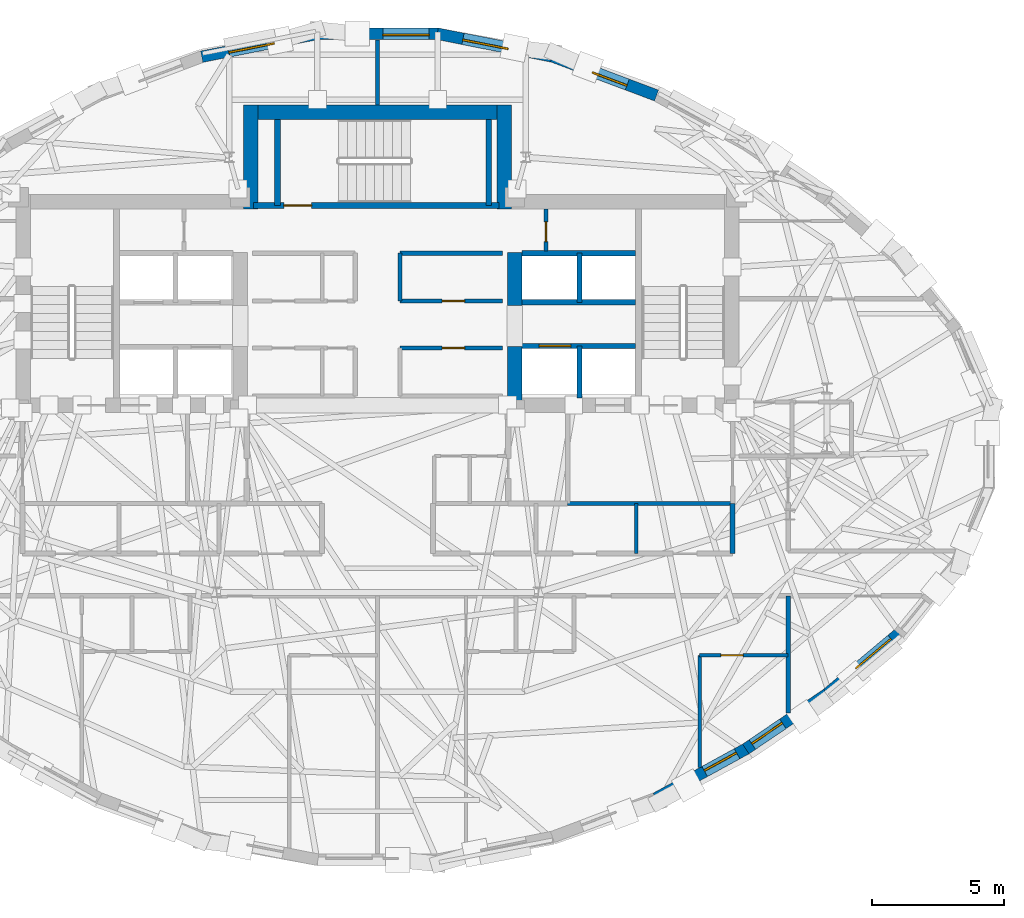
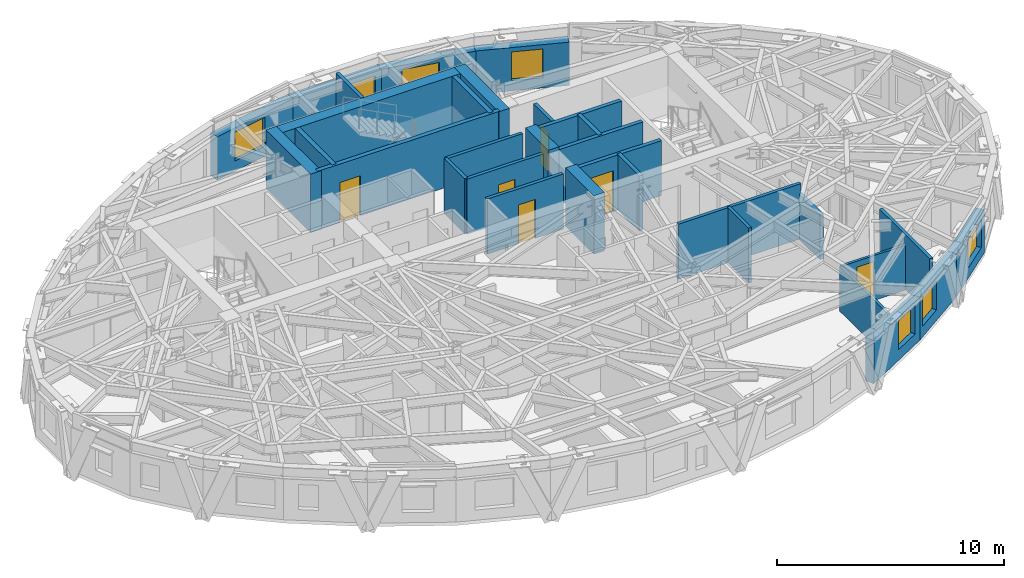
# One storey, part 9 of 14: 32 walls, 7 windows, 6 doors, 13 openings.
"""IFC4 building model written with IfcOpenShell, lengths in metres."""

from ifc_helpers import new_model, si_unit, direction, frame, frame_2d, origin, place, context, subcontext, project, spatial, rectangle, extrude, material, layer, layer_set, type_object, element, fill, save


model = new_model("IFC4")

# Units and contexts
model_context = context("Model", 3, precision=1e-05, world=origin(), true_north=direction((0.0, 1.0)))
body_context = subcontext(model_context, "Body", "Model", "MODEL_VIEW")
ifc_project = project(units=[si_unit("LENGTHUNIT", "METRE"), si_unit("AREAUNIT", "SQUARE_METRE"), si_unit("VOLUMEUNIT", "CUBIC_METRE"), si_unit("PLANEANGLEUNIT", "RADIAN"), si_unit("MASSUNIT", "GRAM", prefix="KILO")], contexts=[model_context])

# Site, building, storey
site_placement = place(None, origin())
site = spatial("IfcSite", under=ifc_project, at=site_placement, CompositionType="ELEMENT")
building_placement = place(site_placement, origin())
building = spatial("IfcBuilding", under=site, at=building_placement, Name="Keldmark Tower", CompositionType="ELEMENT")
storey_placement = place(building_placement, frame((0.0, 0.0, 216.300048828125)))
storey = spatial("IfcBuildingStorey", under=building, at=storey_placement, Name="L60", CompositionType="ELEMENT", Elevation=216.300048828125)

# Walls
ifc_material_1 = material(Name="Heavy Acoustic Plumbing Chase Gypsum Assembly", Category="gypsum")
ifc_layer_1 = layer(ifc_material_1, 0.18994140625)
ifc_layer_set_1 = layer_set([ifc_layer_1], Name="Heavy Acoustic Plumbing Chase Gypsum Assembly")
wall_type_1 = type_object("IfcWallType", Name="Heavy Wet Wall 190 mm", PredefinedType="PLUMBINGWALL", material=ifc_layer_set_1)
wall_1_placement = place(storey_placement, frame((13.449951171875, -4.050048828125, 0.0), z_axis=(0.0, 0.0, 1.0), x_axis=(0.0, 1.0, 0.0)))
element("IfcWall", 1, at=wall_1_placement, inside=storey, type_object=wall_type_1, Name="L60 Heavy Wet Wall 190 mm SPK-E-E", PredefinedType="PLUMBINGWALL", context=body_context, shape_type="SweptSolid", body=[
    extrude(rectangle(XDim=1.900146484375, YDim=0.18994140625, at=frame_2d((0.9501953125, 0.0))), origin(), (0.0, 0.0, 1.0), 2.4228515625),
])
ifc_material_2 = material(Name="Concrete C50/60", Category="concrete")
ifc_layer_2 = layer(ifc_material_2, 0.550048828125)
ifc_layer_set_2 = layer_set([ifc_layer_2], Name="Concrete C50/60")
wall_type_2 = type_object("IfcWallType", Name="High-Rise Core Shear Wall 550 mm", PredefinedType="SHEAR", material=ifc_layer_set_2)
wall_2_placement = place(storey_placement, frame((5.199951171875, 1.300048828125, 0.0), z_axis=(0.0, 0.0, 1.0), x_axis=(0.0, 1.0, 0.0)))
element("IfcWall", 2, at=wall_2_placement, inside=storey, type_object=wall_type_2, Name="L60 East Core Inner Shear Pier South", PredefinedType="SHEAR", context=body_context, shape_type="SweptSolid", body=[
    extrude(rectangle(XDim=2.5, YDim=0.550048828125, at=frame_2d((1.25, 0.0))), origin(), (0.0, 0.0, 1.0), 3.14990234375),
])
wall_3_placement = place(storey_placement, frame((5.199951171875, 5.35009765625, 0.0), z_axis=(0.0, 0.0, 1.0), x_axis=(0.0, 1.0, 0.0)))
element("IfcWall", 3, at=wall_3_placement, inside=storey, type_object=wall_type_2, Name="L60 East Core Inner Shear Pier North", PredefinedType="SHEAR", context=body_context, shape_type="SweptSolid", body=[
    extrude(rectangle(XDim=2.0, YDim=0.550048828125, at=frame_2d((1.0, 0.0))), origin(), (0.0, 0.0, 1.0), 3.14990234375),
])
wall_4_placement = place(storey_placement, frame((-5.074951171875, 12.675048828125, 0.0), z_axis=(0.0, 0.0, 1.0), x_axis=(1.0, 0.0, 0.0)))
element("IfcWall", 4, at=wall_4_placement, inside=storey, type_object=wall_type_2, Name="L60 North Core Shear Wall", PredefinedType="SHEAR", context=body_context, shape_type="SweptSolid", body=[
    extrude(rectangle(XDim=10.14990234375, YDim=0.550048828125, at=frame_2d((5.074951171875, 0.0))), origin(), (0.0, 0.0, 1.0), 3.14990234375),
])
for number, where, z_axis, x_axis, name in (
    (5, (-4.800048828125, 9.0, 0.0), (0.0, 0.0, 1.0), (0.0, 1.0, 0.0), "L60 North Core West Shear Wall"),
    (6, (4.800048828125, 9.0, 0.0), (0.0, 0.0, 1.0), (0.0, 1.0, 0.0), "L60 North Core East Shear Wall"),
):
    element("IfcWall", number, at=place(storey_placement, frame(where, z_axis=z_axis, x_axis=x_axis)), inside=storey, type_object=wall_type_2, Name=name, PredefinedType="SHEAR", context=body_context, shape_type="SweptSolid", body=[
        extrude(rectangle(XDim=3.949951171875, YDim=0.550048828125, at=frame_2d((1.97509765625, 0.0))), origin(), (0.0, 0.0, 1.0), 3.14990234375),
    ])
ifc_material_3 = material(Name="Acoustic Gypsum Board Interior Partition", Category="gypsum")
ifc_layer_3 = layer(ifc_material_3, 0.1298828125)
ifc_layer_set_3 = layer_set([ifc_layer_3], Name="Acoustic Gypsum Board Interior Partition")
wall_type_3 = type_object("IfcWallType", Name="Interior Partition 130 mm", PredefinedType="PARTITIONING", material=ifc_layer_set_3)
wall_5_placement = place(storey_placement, frame((12.199951171875, -12.1455078125, 0.0), z_axis=(0.0, 0.0, 1.0), x_axis=(0.0, 1.0, 0.0)))
element("IfcWall", 7, at=wall_5_placement, inside=storey, type_object=wall_type_3, Name="L60 Interior Partition 130 mm UB-BR2-W", PredefinedType="PARTITIONING", context=body_context, shape_type="SweptSolid", body=[
    extrude(rectangle(XDim=4.24560546875, YDim=0.1298828125, at=frame_2d((2.122802734375, 0.0))), origin(), (0.0, 0.0, 1.0), 2.4228515625),
])

# Wall, opening, door
wall_6_placement = place(storey_placement, frame((12.199951171875, -7.89990234375, 0.0), z_axis=(0.0, 0.0, 1.0), x_axis=(1.0, 0.0, 0.0)))
wall_6 = element("IfcWall", 8, at=wall_6_placement, inside=storey, type_object=wall_type_3, Name="L60 Interior Partition 130 mm UB-BR2-N", PredefinedType="PARTITIONING", context=body_context, shape_type="SweptSolid", body=[
    extrude(rectangle(XDim=3.35009765625, YDim=0.1298828125, at=frame_2d((1.675048828125, 0.0))), origin(), (0.0, 0.0, 1.0), 2.4228515625),
])
opening_1_placement = place(wall_6_placement, frame((0.800048828125, 0.0, 0.0)))
opening_1 = element("IfcOpeningElement", 9, at=opening_1_placement, cuts=wall_6, Name="Opening D-BR085", PredefinedType="OPENING", context=body_context, shape_type="SweptSolid", body=[
    extrude(rectangle(XDim=0.85009765625, YDim=2.10009765625, at=frame_2d((0.425048828125, 1.050048828125))), frame((0.0, 0.074951171875, 0.0), z_axis=(0.0, -1.0, 0.0), x_axis=(1.0, 0.0, 0.0)), (0.0, 0.0, 1.0), 0.14990234375),
])
ifc_material_4 = material(Name="Solid-Core Stained Walnut Wood", Category="wood")
door_type_1 = type_object("IfcDoorType", Name="Bedroom Door 850x2100", OperationType="NOTDEFINED", PredefinedType="DOOR", material=ifc_material_4)
door_1_placement = place(opening_1_placement, origin())
door_1 = element("IfcDoor", 10, at=door_1_placement, inside=storey, type_object=door_type_1, Name="L60 Bedroom Door 850x2100 D-UB-BR2-L60", OperationType="SINGLE_SWING_LEFT", OverallHeight=2.10009765625, OverallWidth=0.85009765625, PredefinedType="DOOR", context=body_context, shape_type="SweptSolid", body=[
    extrude(rectangle(XDim=0.85009765625, YDim=2.10009765625, at=frame_2d((0.425048828125, 1.050048828125))), frame((0.0, 0.02490234375, 0.0), z_axis=(0.0, -1.0, 0.0), x_axis=(1.0, 0.0, 0.0)), (0.0, 0.0, 1.0), 0.050048828125),
])
fill(opening_1, door_1)

# Wall
ifc_material_5 = material(Name="Type X Fire-Rated Gypsum Partition Assembly", Category="gypsum")
ifc_layer_4 = layer(ifc_material_5, 0.1650390625)
ifc_layer_set_4 = layer_set([ifc_layer_4], Name="Type X Fire-Rated Gypsum Partition Assembly")
wall_type_4 = type_object("IfcWallType", Name="Rated Partition 165 mm", PredefinedType="PARTITIONING", material=ifc_layer_set_4)
wall_7_placement = place(storey_placement, frame((7.199951171875, -2.14990234375, 0.0), z_axis=(0.0, 0.0, 1.0), x_axis=(1.0, 0.0, 0.0)))
element("IfcWall", 11, at=wall_7_placement, inside=storey, type_object=wall_type_4, Name="L60 Rated Partition 165 mm FSAE-E-S", PredefinedType="PARTITIONING", context=body_context, shape_type="SweptSolid", body=[
    extrude(rectangle(XDim=6.25, YDim=0.1650390625, at=frame_2d((3.125, 0.0))), origin(), (0.0, 0.0, 1.0), 2.969970703125),
])

# Wall, opening, door
wall_8_placement = place(storey_placement, frame((0.85009765625, 3.739990234375, 0.0), z_axis=(0.0, 0.0, 1.0), x_axis=(1.0, 0.0, 0.0)))
wall_8 = element("IfcWall", 12, at=wall_8_placement, inside=storey, type_object=wall_type_4, Name="L60 Rated Partition 165 mm REC-LE-N", PredefinedType="PARTITIONING", context=body_context, shape_type="SweptSolid", body=[
    extrude(rectangle(XDim=3.889892578125, YDim=0.1650390625, at=frame_2d((1.94482421875, 0.0))), origin(), (0.0, 0.0, 1.0), 2.969970703125),
])
opening_2_placement = place(wall_8_placement, frame((1.60009765625, 0.0, 0.0)))
opening_2 = element("IfcOpeningElement", 13, at=opening_2_placement, cuts=wall_8, Name="Opening D-SV085", PredefinedType="OPENING", context=body_context, shape_type="SweptSolid", body=[
    extrude(rectangle(XDim=0.85009765625, YDim=2.10009765625, at=frame_2d((0.425048828125, 1.050048828125))), frame((0.0, 0.092529296875, 0.0), z_axis=(0.0, -1.0, 0.0), x_axis=(1.0, 0.0, 0.0)), (0.0, 0.0, 1.0), 0.18505859375),
])
ifc_material_6 = material(Name="Painted Hollow Metal Door Assembly", Category="metal")
door_type_2 = type_object("IfcDoorType", Name="Service Door 850x2100", OperationType="NOTDEFINED", PredefinedType="DOOR", material=ifc_material_6)
door_2_placement = place(opening_2_placement, origin())
door_2 = element("IfcDoor", 14, at=door_2_placement, inside=storey, type_object=door_type_2, Name="L60 Service Door 850x2100 D-RECLE1-L60", OperationType="SINGLE_SWING_LEFT", OverallHeight=2.10009765625, OverallWidth=0.85009765625, PredefinedType="DOOR", context=body_context, shape_type="SweptSolid", body=[
    extrude(rectangle(XDim=0.85009765625, YDim=2.10009765625, at=frame_2d((0.425048828125, 1.050048828125))), frame((0.0, 0.02490234375, 0.0), z_axis=(0.0, -1.0, 0.0), x_axis=(1.0, 0.0, 0.0)), (0.0, 0.0, 1.0), 0.050048828125),
])
fill(opening_2, door_2)

wall_9_placement = place(storey_placement, frame((0.85009765625, 5.52001953125, 0.0), z_axis=(0.0, 0.0, 1.0), x_axis=(1.0, 0.0, 0.0)))
wall_9 = element("IfcWall", 15, at=wall_9_placement, inside=storey, type_object=wall_type_4, Name="L60 Rated Partition 165 mm REC-ME-S", PredefinedType="PARTITIONING", context=body_context, shape_type="SweptSolid", body=[
    extrude(rectangle(XDim=3.889892578125, YDim=0.1650390625, at=frame_2d((1.94482421875, 0.0))), origin(), (0.0, 0.0, 1.0), 2.969970703125),
])
opening_3_placement = place(wall_9_placement, frame((1.60009765625, 0.0, 0.0)))
opening_3 = element("IfcOpeningElement", 16, at=opening_3_placement, cuts=wall_9, Name="Opening D-SV085", PredefinedType="OPENING", context=body_context, shape_type="SweptSolid", body=[
    extrude(rectangle(XDim=0.85009765625, YDim=2.10009765625, at=frame_2d((0.425048828125, 1.050048828125))), frame((0.0, 0.092529296875, 0.0), z_axis=(0.0, -1.0, 0.0), x_axis=(1.0, 0.0, 0.0)), (0.0, 0.0, 1.0), 0.18505859375),
])
door_3_placement = place(opening_3_placement, origin())
door_3 = element("IfcDoor", 17, at=door_3_placement, inside=storey, type_object=door_type_2, Name="L60 Service Door 850x2100 D-RECME1-L60", OperationType="SINGLE_SWING_RIGHT", OverallHeight=2.10009765625, OverallWidth=0.85009765625, PredefinedType="DOOR", context=body_context, shape_type="SweptSolid", body=[
    extrude(rectangle(XDim=0.85009765625, YDim=2.10009765625, at=frame_2d((0.425048828125, 1.050048828125))), frame((0.0, 0.02490234375, 0.0), z_axis=(0.0, -1.0, 0.0), x_axis=(1.0, 0.0, 0.0)), (0.0, 0.0, 1.0), 0.050048828125),
])
fill(opening_3, door_3)

# Walls
wall_10_placement = place(storey_placement, frame((0.85009765625, 7.330078125, 0.0), z_axis=(0.0, 0.0, 1.0), x_axis=(1.0, 0.0, 0.0)))
element("IfcWall", 18, at=wall_10_placement, inside=storey, type_object=wall_type_4, Name="L60 Rated Partition 165 mm REC-ME-N", PredefinedType="PARTITIONING", context=body_context, shape_type="SweptSolid", body=[
    extrude(rectangle(XDim=3.889892578125, YDim=0.1650390625, at=frame_2d((1.94482421875, 0.0))), origin(), (0.0, 0.0, 1.0), 2.969970703125),
])
wall_11_placement = place(storey_placement, frame((0.85009765625, 5.52001953125, 0.0), z_axis=(0.0, 0.0, 1.0), x_axis=(0.0, 1.0, 0.0)))
element("IfcWall", 19, at=wall_11_placement, inside=storey, type_object=wall_type_4, Name="L60 Rated Partition 165 mm REC-ME-W", PredefinedType="PARTITIONING", context=body_context, shape_type="SweptSolid", body=[
    extrude(rectangle(XDim=1.81005859375, YDim=0.1650390625, at=frame_2d((0.905029296875, 0.0))), origin(), (0.0, 0.0, 1.0), 2.969970703125),
])

# Wall, opening, door
wall_12_placement = place(storey_placement, frame((6.3798828125, 7.419921875, 0.0), z_axis=(0.0, 0.0, 1.0), x_axis=(0.0, 1.0, 0.0)))
wall_12 = element("IfcWall", 20, at=wall_12_placement, inside=storey, type_object=wall_type_4, Name="L60 Rated Partition 165 mm CS-NE-W", PredefinedType="PARTITIONING", context=body_context, shape_type="SweptSolid", body=[
    extrude(rectangle(XDim=1.580078125, YDim=0.1650390625, at=frame_2d((0.7900390625, 0.0))), origin(), (0.0, 0.0, 1.0), 2.969970703125),
])
opening_4_placement = place(wall_12_placement, frame((0.35009765625, 0.0, 0.0)))
opening_4 = element("IfcOpeningElement", 21, at=opening_4_placement, cuts=wall_12, Name="Opening D-RS075", PredefinedType="OPENING", context=body_context, shape_type="SweptSolid", body=[
    extrude(rectangle(XDim=0.75, YDim=2.10009765625, at=frame_2d((0.375, 1.050048828125))), frame((0.0, 0.092529296875, 0.0), z_axis=(0.0, -1.0, 0.0), x_axis=(1.0, 0.0, 0.0)), (0.0, 0.0, 1.0), 0.18505859375),
])
ifc_material_7 = material(Name="Galvanized Fire-Rated Access Leaf", Category="metal")
door_type_3 = type_object("IfcDoorType", Name="Riser Access Door 750x2100", OperationType="NOTDEFINED", PredefinedType="DOOR", material=ifc_material_7)
door_4_placement = place(opening_4_placement, origin())
door_4 = element("IfcDoor", 22, at=door_4_placement, inside=storey, type_object=door_type_3, Name="L60 Riser Access Door 750x2100 D-CSNE1-L60", OperationType="SINGLE_SWING_LEFT", OverallHeight=2.10009765625, OverallWidth=0.75, PredefinedType="DOOR", context=body_context, shape_type="SweptSolid", body=[
    extrude(rectangle(XDim=0.75, YDim=2.10009765625, at=frame_2d((0.375, 1.050048828125))), frame((0.0, 0.02490234375, 0.0), z_axis=(0.0, -1.0, 0.0), x_axis=(1.0, 0.0, 0.0)), (0.0, 0.0, 1.0), 0.050048828125),
])
fill(opening_4, door_4)

# Walls
wall_13_placement = place(storey_placement, frame((0.0, 12.949951171875, 0.0), z_axis=(0.0, 0.0, 1.0), x_axis=(0.0, 1.0, 0.0)))
element("IfcWall", 23, at=wall_13_placement, inside=storey, type_object=wall_type_4, Name="L60 Rated Partition 165 mm RN-DIV", PredefinedType="PARTITIONING", context=body_context, shape_type="SweptSolid", body=[
    extrude(rectangle(XDim=2.461669921875, YDim=0.1650390625, at=frame_2d((1.23095703125, 0.0))), origin(), (0.0, 0.0, 1.0), 2.969970703125),
])
wall_14_placement = place(storey_placement, frame((15.550048828125, -10.08642578125, 0.0), z_axis=(0.0, 0.0, 1.0), x_axis=(0.0, 1.0, 0.0)))
element("IfcWall", 24, at=wall_14_placement, inside=storey, type_object=wall_type_4, Name="L60 Rated Partition 165 mm RS-ECAP", PredefinedType="PARTITIONING", context=body_context, shape_type="SweptSolid", body=[
    extrude(rectangle(XDim=4.4365234375, YDim=0.1650390625, at=frame_2d((2.21826171875, 0.0))), origin(), (0.0, 0.0, 1.0), 2.969970703125),
])

# Wall, opening, door
ifc_material_8 = material(Name="Fire-Resistant Type X Gypsum Shaftliner Coreboard", Category="gypsum")
ifc_layer_5 = layer(ifc_material_8, 0.199951171875)
ifc_layer_set_5 = layer_set([ifc_layer_5], Name="Fire-Resistant Type X Gypsum Shaftliner Coreboard")
wall_type_5 = type_object("IfcWallType", Name="Shaft Wall 200 mm", PredefinedType="SOLIDWALL", material=ifc_layer_set_5)
wall_15_placement = place(storey_placement, frame((5.47509765625, 3.820068359375, 0.0), z_axis=(0.0, 0.0, 1.0), x_axis=(1.0, 0.0, 0.0)))
wall_15 = element("IfcWall", 25, at=wall_15_placement, inside=storey, type_object=wall_type_5, Name="L60 Shaft Wall 200 mm HW-E-S", PredefinedType="SOLIDWALL", context=body_context, shape_type="SweptSolid", body=[
    extrude(rectangle(XDim=4.304931640625, YDim=0.199951171875, at=frame_2d((2.15234375, 0.0))), origin(), (0.0, 0.0, 1.0), 2.969970703125),
])
opening_5_placement = place(wall_15_placement, frame((0.64990234375, 0.0, 0.0)))
opening_5 = element("IfcOpeningElement", 26, at=opening_5_placement, cuts=wall_15, Name="Opening LD-120", PredefinedType="OPENING", context=body_context, shape_type="SweptSolid", body=[
    extrude(rectangle(XDim=1.199951171875, YDim=2.199951171875, at=frame_2d((0.60009765625, 1.10009765625))), frame((0.0, 0.10986328125, 0.0), z_axis=(0.0, -1.0, 0.0), x_axis=(1.0, 0.0, 0.0)), (0.0, 0.0, 1.0), 0.219970703125),
])
ifc_material_9 = material(Name="Heavy-Duty Brushed Metal Hoistway Sliding Leaf", Category="metal")
door_type_4 = type_object("IfcDoorType", Name="Service Lift Sliding Door 1200x2200", OperationType="SLIDING_TO_RIGHT", PredefinedType="DOOR", material=ifc_material_9)
door_5_placement = place(opening_5_placement, origin())
door_5 = element("IfcDoor", 27, at=door_5_placement, inside=storey, type_object=door_type_4, Name="L60 Service Lift Sliding Door 1200x2200 LD-EL-SV1-L60", OperationType="SLIDING_TO_RIGHT", OverallHeight=2.199951171875, OverallWidth=1.199951171875, PredefinedType="DOOR", context=body_context, shape_type="SweptSolid", body=[
    extrude(rectangle(XDim=1.199951171875, YDim=2.199951171875, at=frame_2d((0.60009765625, 1.10009765625))), frame((0.0, 0.02490234375, 0.0), z_axis=(0.0, -1.0, 0.0), x_axis=(1.0, 0.0, 0.0)), (0.0, 0.0, 1.0), 0.050048828125),
])
fill(opening_5, door_5)

# Walls
wall_16_placement = place(storey_placement, frame((7.64990234375, 1.85009765625, 0.0), z_axis=(0.0, 0.0, 1.0), x_axis=(0.0, 1.0, 0.0)))
element("IfcWall", 28, at=wall_16_placement, inside=storey, type_object=wall_type_5, Name="L60 Shaft Wall 200 mm HW-E-M", PredefinedType="SOLIDWALL", context=body_context, shape_type="SweptSolid", body=[
    extrude(rectangle(XDim=1.969970703125, YDim=0.199951171875, at=frame_2d((0.98486328125, 0.0))), origin(), (0.0, 0.0, 1.0), 2.969970703125),
])
for number, where, z_axis, x_axis, name in (
    (29, (5.47509765625, 5.469970703125, 0.0), (0.0, 0.0, 1.0), (1.0, 0.0, 0.0), "L60 Shaft Wall 200 mm HW-E-N"),
    (30, (5.47509765625, 7.330078125, 0.0), (0.0, 0.0, 1.0), (1.0, 0.0, 0.0), "L60 Shaft Wall 200 mm HW-E-TOP"),
):
    element("IfcWall", number, at=place(storey_placement, frame(where, z_axis=z_axis, x_axis=x_axis)), inside=storey, type_object=wall_type_5, Name=name, PredefinedType="SOLIDWALL", context=body_context, shape_type="SweptSolid", body=[
        extrude(rectangle(XDim=4.304931640625, YDim=0.199951171875, at=frame_2d((2.15234375, 0.0))), origin(), (0.0, 0.0, 1.0), 2.969970703125),
    ])
wall_17_placement = place(storey_placement, frame((7.64990234375, 5.469970703125, 0.0), z_axis=(0.0, 0.0, 1.0), x_axis=(0.0, 1.0, 0.0)))
element("IfcWall", 31, at=wall_17_placement, inside=storey, type_object=wall_type_5, Name="L60 Shaft Wall 200 mm HW-E-NM", PredefinedType="SOLIDWALL", context=body_context, shape_type="SweptSolid", body=[
    extrude(rectangle(XDim=1.860107421875, YDim=0.199951171875, at=frame_2d((0.93017578125, 0.0))), origin(), (0.0, 0.0, 1.0), 2.969970703125),
])

# Wall, opening, door
ifc_material_10 = material(Name="Concrete C50/60", Category="concrete")
ifc_layer_6 = layer(ifc_material_10, 0.219970703125)
ifc_layer_set_6 = layer_set([ifc_layer_6], Name="Concrete C50/60")
wall_type_6 = type_object("IfcWallType", Name="Stair Core Shear Wall 220 mm", PredefinedType="SHEAR", material=ifc_layer_set_6)
wall_18_placement = place(storey_placement, frame((-4.699951171875, 9.139892578125, 0.0), z_axis=(0.0, 0.0, 1.0), x_axis=(1.0, 0.0, 0.0)))
wall_18 = element("IfcWall", 32, at=wall_18_placement, inside=storey, type_object=wall_type_6, Name="L60 Central Stair Core South Shear Wall", PredefinedType="SHEAR", context=body_context, shape_type="SweptSolid", body=[
    extrude(rectangle(XDim=9.300048828125, YDim=0.219970703125, at=frame_2d((4.64990234375, 0.0))), origin(), (0.0, 0.0, 1.0), 3.14990234375),
])
opening_6_placement = place(wall_18_placement, frame((1.14990234375, 0.0, 0.0)))
opening_6 = element("IfcOpeningElement", 33, at=opening_6_placement, cuts=wall_18, Name="Opening D-ST105", PredefinedType="OPENING", context=body_context, shape_type="SweptSolid", body=[
    extrude(rectangle(XDim=1.050048828125, YDim=2.14990234375, at=frame_2d((0.52490234375, 1.074951171875))), frame((0.0, 0.119873046875, 0.0), z_axis=(0.0, -1.0, 0.0), x_axis=(1.0, 0.0, 0.0)), (0.0, 0.0, 1.0), 0.239990234375),
])
ifc_material_11 = material(Name="Hollow Metal Fire-Rated Door Assembly", Category="metal")
door_type_5 = type_object("IfcDoorType", Name="Stair Fire Door 1050x2150", OperationType="NOTDEFINED", PredefinedType="DOOR", material=ifc_material_11)
door_6_placement = place(opening_6_placement, origin())
door_6 = element("IfcDoor", 34, at=door_6_placement, inside=storey, type_object=door_type_5, Name="L60 Stair Fire Door 1050x2150 D-ST3-L60", OperationType="SINGLE_SWING_LEFT", OverallHeight=2.14990234375, OverallWidth=1.050048828125, PredefinedType="DOOR", context=body_context, shape_type="SweptSolid", body=[
    extrude(rectangle(XDim=1.050048828125, YDim=2.14990234375, at=frame_2d((0.52490234375, 1.074951171875))), frame((0.0, 0.02490234375, 0.0), z_axis=(0.0, -1.0, 0.0), x_axis=(1.0, 0.0, 0.0)), (0.0, 0.0, 1.0), 0.050048828125),
])
fill(opening_6, door_6)

# Walls
for number, where, z_axis, x_axis, name in (
    (35, (-3.784912109375, 9.139892578125, 0.0), (0.0, 0.0, 1.0), (0.0, 1.0, 0.0), "L60 Central Stair Core West Shear Wall"),
    (36, (4.215087890625, 9.139892578125, 0.0), (0.0, 0.0, 1.0), (0.0, 1.0, 0.0), "L60 Central Stair Core East Shear Wall"),
):
    element("IfcWall", number, at=place(storey_placement, frame(where, z_axis=z_axis, x_axis=x_axis)), inside=storey, type_object=wall_type_6, Name=name, PredefinedType="SHEAR", context=body_context, shape_type="SweptSolid", body=[
        extrude(rectangle(XDim=3.260009765625, YDim=0.219970703125, at=frame_2d((1.6298828125, 0.0))), origin(), (0.0, 0.0, 1.0), 3.14990234375),
    ])

# Wall, opening, window
ifc_material_12 = material(Name="Ironspot Manganese Brick and Kasota Buff Limestone Spandrel Assembly", Category="masonry")
ifc_layer_7 = layer(ifc_material_12, 0.43994140625)
ifc_layer_set_7 = layer_set([ifc_layer_7], Name="Ironspot Manganese Brick and Kasota Buff Limestone Spandrel Assembly")
wall_type_7 = type_object("IfcWallType", Name="Tower Brick Pier and Spandrel Wall 440 mm", PredefinedType="STANDARD", material=ifc_layer_set_7)
wall_19_placement = place(storey_placement, frame((6.626953125, 14.783935546875, 0.0), z_axis=(0.0, 0.0, 1.0), x_axis=(0.936069207768, -0.351815915314, 0.0)))
wall_19 = element("IfcWall", 37, at=wall_19_placement, inside=storey, type_object=wall_type_7, Name="L60 Exterior Brick and Spandrel Wall 06", PredefinedType="STANDARD", context=body_context, shape_type="SweptSolid", body=[
    extrude(rectangle(XDim=4.2109375, YDim=0.43994140625, at=frame_2d((2.10546875, 0.0))), origin(), (0.0, 0.0, 1.0), 2.3359375),
])
opening_7_placement = place(wall_19_placement, frame((1.626708984375, 0.0, 0.550048828125)))
opening_7 = element("IfcOpeningElement", 38, at=opening_7_placement, cuts=wall_19, Name="Opening W-08", PredefinedType="OPENING", context=body_context, shape_type="SweptSolid", body=[
    extrude(rectangle(XDim=1.39990234375, YDim=1.550048828125, at=frame_2d((0.699951171875, 0.77490234375))), frame((0.0, 0.22998046875, 0.0), z_axis=(0.0, -1.0, 0.0), x_axis=(1.0, 0.0, 0.0)), (0.0, 0.0, 1.0), 0.4599609375),
])
ifc_material_13 = material(Name="Thermally Broken Anodized Aluminum and Triple Low-E Argon Glazing", Category="aluminium")
window_type_1 = type_object("IfcWindowType", Name="Residential Corner Punched Window 1400x1550", PartitioningType="SINGLE_PANEL", PredefinedType="WINDOW", material=ifc_material_13)
window_1_placement = place(opening_7_placement, origin())
window_1 = element("IfcWindow", 39, at=window_1_placement, inside=storey, type_object=window_type_1, Name="L60 Deep-Set Window 06", OverallHeight=1.550048828125, OverallWidth=1.39990234375, PartitioningType="SINGLE_PANEL", PredefinedType="WINDOW", context=body_context, shape_type="SweptSolid", body=[
    extrude(rectangle(XDim=1.39990234375, YDim=1.550048828125, at=frame_2d((0.699951171875, 0.77490234375))), frame((0.0, -0.010009765625, 0.0), z_axis=(0.0, -1.0, 0.0), x_axis=(1.0, 0.0, 0.0)), (0.0, 0.0, 1.0), 0.06005859375),
])
fill(opening_7, window_1)

wall_20_placement = place(storey_placement, frame((2.260498046875, 15.643798828125, 0.0), z_axis=(0.0, 0.0, 1.0), x_axis=(0.981032244947, -0.193844613996, 0.0)))
wall_20 = element("IfcWall", 40, at=wall_20_placement, inside=storey, type_object=wall_type_7, Name="L60 Exterior Brick and Spandrel Wall 07", PredefinedType="STANDARD", context=body_context, shape_type="SweptSolid", body=[
    extrude(rectangle(XDim=4.486328125, YDim=0.43994140625, at=frame_2d((2.2431640625, 0.0))), origin(), (0.0, 0.0, 1.0), 2.3359375),
])
opening_8_placement = place(wall_20_placement, frame((0.995361328125, 0.0, 0.550048828125)))
opening_8 = element("IfcOpeningElement", 41, at=opening_8_placement, cuts=wall_20, Name="Opening W-05", PredefinedType="OPENING", context=body_context, shape_type="SweptSolid", body=[
    extrude(rectangle(XDim=1.75, YDim=1.550048828125, at=frame_2d((0.875, 0.77490234375))), frame((0.0, 0.22998046875, 0.0), z_axis=(0.0, -1.0, 0.0), x_axis=(1.0, 0.0, 0.0)), (0.0, 0.0, 1.0), 0.4599609375),
])
ifc_material_14 = material(Name="Thermally Broken Anodized Aluminum and Triple Low-E Argon Glazing", Category="aluminium")
window_type_2 = type_object("IfcWindowType", Name="Residential Deep-Set Window 1750x1550", PartitioningType="DOUBLE_PANEL_VERTICAL", PredefinedType="WINDOW", material=ifc_material_14)
window_2_placement = place(opening_8_placement, origin())
window_2 = element("IfcWindow", 42, at=window_2_placement, inside=storey, type_object=window_type_2, Name="L60 Deep-Set Window 07", OverallHeight=1.550048828125, OverallWidth=1.75, PartitioningType="SINGLE_PANEL", PredefinedType="WINDOW", context=body_context, shape_type="SweptSolid", body=[
    extrude(rectangle(XDim=1.75, YDim=1.550048828125, at=frame_2d((0.875, 0.77490234375))), frame((0.0, -0.010009765625, 0.0), z_axis=(0.0, -1.0, 0.0), x_axis=(1.0, 0.0, 0.0)), (0.0, 0.0, 1.0), 0.06005859375),
])
fill(opening_8, window_2)

wall_21_placement = place(storey_placement, frame((-2.302978515625, 15.6396484375, 0.0), z_axis=(0.0, 0.0, 1.0), x_axis=(1.0, 0.0, 0.0)))
wall_21 = element("IfcWall", 43, at=wall_21_placement, inside=storey, type_object=wall_type_7, Name="L60 Exterior Brick and Spandrel Wall 08", PredefinedType="STANDARD", context=body_context, shape_type="SweptSolid", body=[
    extrude(rectangle(XDim=4.60595703125, YDim=0.43994140625, at=frame_2d((2.302978515625, 0.0))), origin(), (0.0, 0.0, 1.0), 2.3359375),
])
opening_9_placement = place(wall_21_placement, frame((2.5087890625, 0.0, 0.550048828125)))
opening_9 = element("IfcOpeningElement", 44, at=opening_9_placement, cuts=wall_21, Name="Opening W-05", PredefinedType="OPENING", context=body_context, shape_type="SweptSolid", body=[
    extrude(rectangle(XDim=1.75, YDim=1.550048828125, at=frame_2d((0.875, 0.77490234375))), frame((0.0, 0.22998046875, 0.0), z_axis=(0.0, -1.0, 0.0), x_axis=(1.0, 0.0, 0.0)), (0.0, 0.0, 1.0), 0.4599609375),
])
window_3_placement = place(opening_9_placement, origin())
window_3 = element("IfcWindow", 45, at=window_3_placement, inside=storey, type_object=window_type_2, Name="L60 Deep-Set Window 08", OverallHeight=1.550048828125, OverallWidth=1.75, PartitioningType="SINGLE_PANEL", PredefinedType="WINDOW", context=body_context, shape_type="SweptSolid", body=[
    extrude(rectangle(XDim=1.75, YDim=1.550048828125, at=frame_2d((0.875, 0.77490234375))), frame((0.0, -0.010009765625, 0.0), z_axis=(0.0, -1.0, 0.0), x_axis=(1.0, 0.0, 0.0)), (0.0, 0.0, 1.0), 0.06005859375),
])
fill(opening_9, window_3)

wall_22_placement = place(storey_placement, frame((-6.66162109375, 14.774169921875, 0.0), z_axis=(0.0, 0.0, 1.0), x_axis=(0.981032244947, 0.193844613996, 0.0)))
wall_22 = element("IfcWall", 46, at=wall_22_placement, inside=storey, type_object=wall_type_7, Name="L60 Exterior Brick and Spandrel Wall 09", PredefinedType="STANDARD", context=body_context, shape_type="SweptSolid", body=[
    extrude(rectangle(XDim=4.486328125, YDim=0.43994140625, at=frame_2d((2.2431640625, 0.0))), origin(), (0.0, 0.0, 1.0), 2.3359375),
])
opening_10_placement = place(wall_22_placement, frame((1.045166015625, 0.0, 0.550048828125)))
opening_10 = element("IfcOpeningElement", 47, at=opening_10_placement, cuts=wall_22, Name="Opening W-05", PredefinedType="OPENING", context=body_context, shape_type="SweptSolid", body=[
    extrude(rectangle(XDim=1.75, YDim=1.550048828125, at=frame_2d((0.875, 0.77490234375))), frame((0.0, 0.22998046875, 0.0), z_axis=(0.0, -1.0, 0.0), x_axis=(1.0, 0.0, 0.0)), (0.0, 0.0, 1.0), 0.4599609375),
])
window_4_placement = place(opening_10_placement, origin())
window_4 = element("IfcWindow", 48, at=window_4_placement, inside=storey, type_object=window_type_2, Name="L60 Deep-Set Window 09", OverallHeight=1.550048828125, OverallWidth=1.75, PartitioningType="SINGLE_PANEL", PredefinedType="WINDOW", context=body_context, shape_type="SweptSolid", body=[
    extrude(rectangle(XDim=1.75, YDim=1.550048828125, at=frame_2d((0.875, 0.77490234375))), frame((0.0, -0.010009765625, 0.0), z_axis=(0.0, -1.0, 0.0), x_axis=(1.0, 0.0, 0.0)), (0.0, 0.0, 1.0), 0.06005859375),
])
fill(opening_10, window_4)

wall_23_placement = place(storey_placement, frame((13.966796875, -11.43701171875, 0.0), z_axis=(0.0, 0.0, 1.0), x_axis=(-0.87688122565, -0.480707100117, 0.0)))
wall_23 = element("IfcWall", 49, at=wall_23_placement, inside=storey, type_object=wall_type_7, Name="L60 Exterior Brick and Spandrel Wall 27", PredefinedType="STANDARD", context=body_context, shape_type="SweptSolid", body=[
    extrude(rectangle(XDim=3.90771484375, YDim=0.43994140625, at=frame_2d((1.953857421875, 0.0))), origin(), (0.0, 0.0, 1.0), 2.3359375),
])
opening_11_placement = place(wall_23_placement, frame((0.39599609375, 0.0, 0.580078125)))
opening_11 = element("IfcOpeningElement", 50, at=opening_11_placement, cuts=wall_23, Name="Opening W-08", PredefinedType="OPENING", context=body_context, shape_type="SweptSolid", body=[
    extrude(rectangle(XDim=1.39990234375, YDim=1.550048828125, at=frame_2d((0.699951171875, 0.77490234375))), frame((0.0, 0.22998046875, 0.0), z_axis=(0.0, -1.0, 0.0), x_axis=(1.0, 0.0, 0.0)), (0.0, 0.0, 1.0), 0.4599609375),
])
window_5_placement = place(opening_11_placement, origin())
window_5 = element("IfcWindow", 51, at=window_5_placement, inside=storey, type_object=window_type_1, Name="L60 Deep-Set Window 27", OverallHeight=1.550048828125, OverallWidth=1.39990234375, PartitioningType="SINGLE_PANEL", PredefinedType="WINDOW", context=body_context, shape_type="SweptSolid", body=[
    extrude(rectangle(XDim=1.39990234375, YDim=1.550048828125, at=frame_2d((0.699951171875, 0.77490234375))), frame((0.0, -0.010009765625, 0.0), z_axis=(0.0, -1.0, 0.0), x_axis=(1.0, 0.0, 0.0)), (0.0, 0.0, 1.0), 0.06005859375),
])
fill(opening_11, window_5)

wall_24_placement = place(storey_placement, frame((17.02392578125, -9.3623046875, 0.0), z_axis=(0.0, 0.0, 1.0), x_axis=(-0.827595704154, -0.561324639105, 0.0)))
wall_24 = element("IfcWall", 52, at=wall_24_placement, inside=storey, type_object=wall_type_7, Name="L60 Exterior Brick and Spandrel Wall 28", PredefinedType="STANDARD", context=body_context, shape_type="SweptSolid", body=[
    extrude(rectangle(XDim=3.71533203125, YDim=0.43994140625, at=frame_2d((1.857666015625, 0.0))), origin(), (0.0, 0.0, 1.0), 2.3359375),
])
opening_12_placement = place(wall_24_placement, frame((2.01708984375, 0.0, 0.580078125)))
opening_12 = element("IfcOpeningElement", 53, at=opening_12_placement, cuts=wall_24, Name="Opening W-08", PredefinedType="OPENING", context=body_context, shape_type="SweptSolid", body=[
    extrude(rectangle(XDim=1.39990234375, YDim=1.550048828125, at=frame_2d((0.699951171875, 0.77490234375))), frame((0.0, 0.22998046875, 0.0), z_axis=(0.0, -1.0, 0.0), x_axis=(1.0, 0.0, 0.0)), (0.0, 0.0, 1.0), 0.4599609375),
])
window_6_placement = place(opening_12_placement, origin())
window_6 = element("IfcWindow", 54, at=window_6_placement, inside=storey, type_object=window_type_1, Name="L60 Deep-Set Window 28", OverallHeight=1.550048828125, OverallWidth=1.39990234375, PartitioningType="SINGLE_PANEL", PredefinedType="WINDOW", context=body_context, shape_type="SweptSolid", body=[
    extrude(rectangle(XDim=1.39990234375, YDim=1.550048828125, at=frame_2d((0.699951171875, 0.77490234375))), frame((0.0, -0.010009765625, 0.0), z_axis=(0.0, -1.0, 0.0), x_axis=(1.0, 0.0, 0.0)), (0.0, 0.0, 1.0), 0.06005859375),
])
fill(opening_12, window_6)

wall_25_placement = place(storey_placement, frame((19.77587890625, -7.052001953125, 0.0), z_axis=(0.0, 0.0, 1.0), x_axis=(-0.766063904081, -0.642764416302, 0.0)))
wall_25 = element("IfcWall", 55, at=wall_25_placement, inside=storey, type_object=wall_type_7, Name="L60 Exterior Brick and Spandrel Wall 29", PredefinedType="STANDARD", context=body_context, shape_type="SweptSolid", body=[
    extrude(rectangle(XDim=3.615478515625, YDim=0.43994140625, at=frame_2d((1.8076171875, 0.0))), origin(), (0.0, 0.0, 1.0), 2.3359375),
])
opening_13_placement = place(wall_25_placement, frame((0.3955078125, 0.0, 0.550048828125)))
opening_13 = element("IfcOpeningElement", 56, at=opening_13_placement, cuts=wall_25, Name="Opening W-05", PredefinedType="OPENING", context=body_context, shape_type="SweptSolid", body=[
    extrude(rectangle(XDim=1.75, YDim=1.550048828125, at=frame_2d((0.875, 0.77490234375))), frame((0.0, 0.22998046875, 0.0), z_axis=(0.0, -1.0, 0.0), x_axis=(1.0, 0.0, 0.0)), (0.0, 0.0, 1.0), 0.4599609375),
])
window_7_placement = place(opening_13_placement, origin())
window_7 = element("IfcWindow", 57, at=window_7_placement, inside=storey, type_object=window_type_2, Name="L60 Deep-Set Window 29", OverallHeight=1.550048828125, OverallWidth=1.75, PartitioningType="SINGLE_PANEL", PredefinedType="WINDOW", context=body_context, shape_type="SweptSolid", body=[
    extrude(rectangle(XDim=1.75, YDim=1.550048828125, at=frame_2d((0.875, 0.77490234375))), frame((0.0, -0.010009765625, 0.0), z_axis=(0.0, -1.0, 0.0), x_axis=(1.0, 0.0, 0.0)), (0.0, 0.0, 1.0), 0.06005859375),
])
fill(opening_13, window_7)

# Wall
ifc_material_15 = material(Name="Moisture-Resistant Gypsum Plumbing Partition", Category="gypsum")
ifc_layer_8 = layer(ifc_material_15, 0.14990234375)
ifc_layer_set_8 = layer_set([ifc_layer_8], Name="Moisture-Resistant Gypsum Plumbing Partition")
wall_type_8 = type_object("IfcWallType", Name="Wet Wall 150 mm", PredefinedType="PLUMBINGWALL", material=ifc_layer_set_8)
wall_26_placement = place(storey_placement, frame((9.800048828125, -4.050048828125, 0.0), z_axis=(0.0, 0.0, 1.0), x_axis=(0.0, 1.0, 0.0)))
element("IfcWall", 58, at=wall_26_placement, inside=storey, type_object=wall_type_8, Name="L60 Wet Wall 150 mm SPK-E-D2", PredefinedType="PLUMBINGWALL", context=body_context, shape_type="SweptSolid", body=[
    extrude(rectangle(XDim=1.900146484375, YDim=0.14990234375, at=frame_2d((0.9501953125, 0.0))), origin(), (0.0, 0.0, 1.0), 2.969970703125),
])

save(model, "model.ifc")
